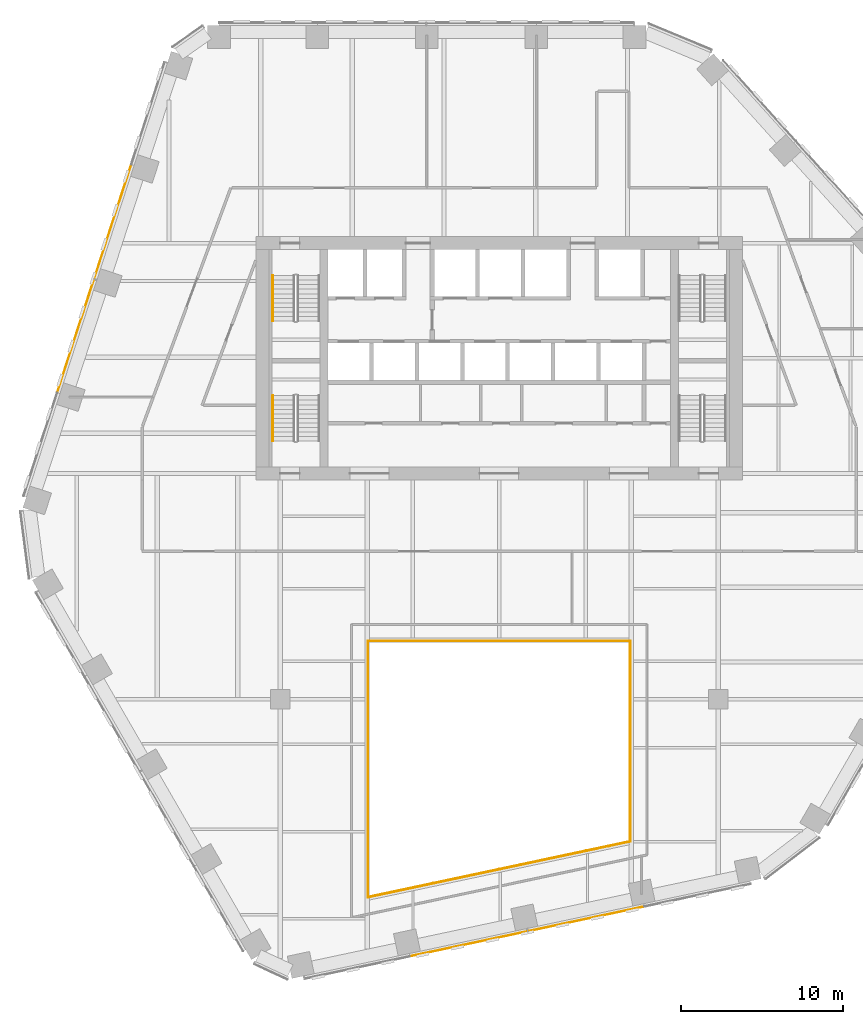
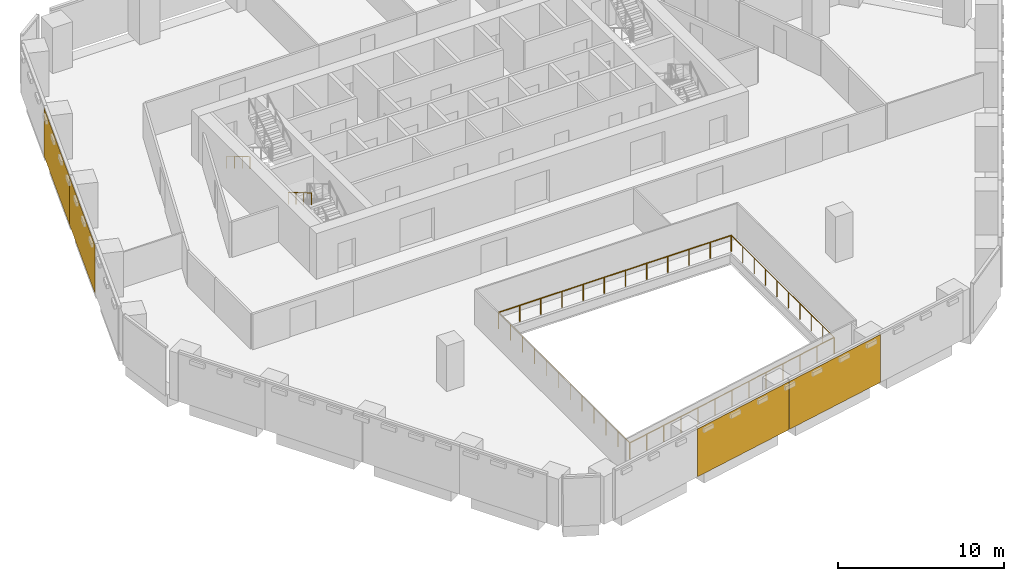
# One storey, part 15 of 17: 6 railings, 4 coverings, 2 elements without a shape of their own.
"""IFC4 building model written with IfcOpenShell, lengths in metres."""

from ifc_helpers import new_model, si_unit, direction, frame, origin, origin_2d, place, context, subcontext, project, spatial, rectangle, circle, extrude, material, layer, layer_set, type_object, element, aggregate, save


model = new_model("IFC4")

# Units and contexts
model_context = context("Model", 3, precision=1e-05, world=origin(), true_north=direction((0.0, 1.0)))
body_context = subcontext(model_context, "Body", "Model", "MODEL_VIEW")
ifc_project = project(units=[si_unit("LENGTHUNIT", "METRE"), si_unit("AREAUNIT", "SQUARE_METRE"), si_unit("VOLUMEUNIT", "CUBIC_METRE"), si_unit("PLANEANGLEUNIT", "RADIAN"), si_unit("MASSUNIT", "GRAM", prefix="KILO")], contexts=[model_context])

# Site, building, storey
site_placement = place(None, origin())
site = spatial("IfcSite", under=ifc_project, at=site_placement, CompositionType="ELEMENT")
building_placement = place(site_placement, origin())
building = spatial("IfcBuilding", under=site, at=building_placement, Name="Isthmus Gate Tower", CompositionType="ELEMENT")
storey_placement = place(building_placement, frame((0.0, 0.0, 162.64990234375)))
storey = spatial("IfcBuildingStorey", under=building, at=storey_placement, Name="L40", CompositionType="ELEMENT", Elevation=162.64990234375)

# Railings
ifc_material_1 = material(Name="Laminated toughened glass balustrade with steel rail", Category="steel")
railing_type_1 = type_object("IfcRailingType", Name="ATRIUM GUARD GLASS BALUSTRADE 1200", PredefinedType="GUARDRAIL", material=ifc_material_1)
railing_1_placement = place(storey_placement, frame((-8.080078125, -25.7099609375, 0.0)))
element("IfcRailing", 1, at=railing_1_placement, inside=storey, type_object=railing_type_1, Name="L40 atrium guard", PredefinedType="GUARDRAIL", context=body_context, shape_type="SweptSolid", body=[
    extrude(circle(Radius=0.02490234375, at=origin_2d()), frame((0.0, 0.0, 1.1748046875), z_axis=(0.0, 1.0, 0.0), x_axis=(-1.0, 0.0, 0.0)), (0.0, 0.0, 1.0), 15.7900390625),
    extrude(circle(Radius=0.02490234375, at=origin_2d()), origin(), (0.0, 0.0, 1.0), 1.14990234375),
    extrude(circle(Radius=0.02490234375, at=origin_2d()), frame((0.0, 1.435546875, 0.0)), (0.0, 0.0, 1.0), 1.14990234375),
    extrude(circle(Radius=0.02490234375, at=origin_2d()), frame((0.0, 2.870849609375, 0.0)), (0.0, 0.0, 1.0), 1.14990234375),
    extrude(circle(Radius=0.02490234375, at=origin_2d()), frame((0.0, 4.306396484375, 0.0)), (0.0, 0.0, 1.0), 1.14990234375),
    extrude(circle(Radius=0.02490234375, at=origin_2d()), frame((0.0, 5.741943359375, 0.0)), (0.0, 0.0, 1.0), 1.14990234375),
    extrude(circle(Radius=0.02490234375, at=origin_2d()), frame((0.0, 7.17724609375, 0.0)), (0.0, 0.0, 1.0), 1.14990234375),
    extrude(circle(Radius=0.02490234375, at=origin_2d()), frame((0.0, 8.61279296875, 0.0)), (0.0, 0.0, 1.0), 1.14990234375),
    extrude(circle(Radius=0.02490234375, at=origin_2d()), frame((0.0, 10.048095703125, 0.0)), (0.0, 0.0, 1.0), 1.14990234375),
    extrude(circle(Radius=0.02490234375, at=origin_2d()), frame((0.0, 11.483642578125, 0.0)), (0.0, 0.0, 1.0), 1.14990234375),
    extrude(circle(Radius=0.02490234375, at=origin_2d()), frame((0.0, 12.919189453125, 0.0)), (0.0, 0.0, 1.0), 1.14990234375),
    extrude(circle(Radius=0.02490234375, at=origin_2d()), frame((0.0, 14.3544921875, 0.0)), (0.0, 0.0, 1.0), 1.14990234375),
    extrude(circle(Radius=0.02490234375, at=origin_2d()), frame((0.0, 15.7900390625, 0.0)), (0.0, 0.0, 1.0), 1.14990234375),
])
railing_2_placement = place(storey_placement, frame((-8.080078125, -9.919921875, 0.0)))
element("IfcRailing", 2, at=railing_2_placement, inside=storey, type_object=railing_type_1, Name="L40 atrium guard", PredefinedType="GUARDRAIL", context=body_context, shape_type="SweptSolid", body=[
    extrude(circle(Radius=0.02490234375, at=origin_2d()), frame((0.0, 0.0, 1.1748046875), z_axis=(1.0, 0.0, 0.0), x_axis=(0.0, 1.0, 0.0)), (0.0, 0.0, 1.0), 16.16015625),
    extrude(circle(Radius=0.02490234375, at=origin_2d()), origin(), (0.0, 0.0, 1.0), 1.14990234375),
    extrude(circle(Radius=0.02490234375, at=origin_2d()), frame((1.468994140625, 0.0, 0.0)), (0.0, 0.0, 1.0), 1.14990234375),
    extrude(circle(Radius=0.02490234375, at=origin_2d()), frame((2.938232421875, 0.0, 0.0)), (0.0, 0.0, 1.0), 1.14990234375),
    extrude(circle(Radius=0.02490234375, at=origin_2d()), frame((4.4072265625, 0.0, 0.0)), (0.0, 0.0, 1.0), 1.14990234375),
    extrude(circle(Radius=0.02490234375, at=origin_2d()), frame((5.87646484375, 0.0, 0.0)), (0.0, 0.0, 1.0), 1.14990234375),
    extrude(circle(Radius=0.02490234375, at=origin_2d()), frame((7.345458984375, 0.0, 0.0)), (0.0, 0.0, 1.0), 1.14990234375),
    extrude(circle(Radius=0.02490234375, at=origin_2d()), frame((8.814697265625, 0.0, 0.0)), (0.0, 0.0, 1.0), 1.14990234375),
    extrude(circle(Radius=0.02490234375, at=origin_2d()), frame((10.28369140625, 0.0, 0.0)), (0.0, 0.0, 1.0), 1.14990234375),
    extrude(circle(Radius=0.02490234375, at=origin_2d()), frame((11.7529296875, 0.0, 0.0)), (0.0, 0.0, 1.0), 1.14990234375),
    extrude(circle(Radius=0.02490234375, at=origin_2d()), frame((13.221923828125, 0.0, 0.0)), (0.0, 0.0, 1.0), 1.14990234375),
    extrude(circle(Radius=0.02490234375, at=origin_2d()), frame((14.691162109375, 0.0, 0.0)), (0.0, 0.0, 1.0), 1.14990234375),
    extrude(circle(Radius=0.02490234375, at=origin_2d()), frame((16.16015625, 0.0, 0.0)), (0.0, 0.0, 1.0), 1.14990234375),
])
railing_3_placement = place(storey_placement, frame((8.080078125, -9.919921875, 0.0)))
element("IfcRailing", 3, at=railing_3_placement, inside=storey, type_object=railing_type_1, Name="L40 atrium guard", PredefinedType="GUARDRAIL", context=body_context, shape_type="SweptSolid", body=[
    extrude(circle(Radius=0.02490234375, at=origin_2d()), frame((0.0, 0.0, 1.1748046875), z_axis=(0.0, -1.0, 0.0), x_axis=(1.0, 0.0, 0.0)), (0.0, 0.0, 1.0), 12.35498046875),
    extrude(circle(Radius=0.02490234375, at=origin_2d()), origin(), (0.0, 0.0, 1.0), 1.14990234375),
    extrude(circle(Radius=0.02490234375, at=origin_2d()), frame((0.0, -1.372802734375, 0.0)), (0.0, 0.0, 1.0), 1.14990234375),
    extrude(circle(Radius=0.02490234375, at=origin_2d()), frame((0.0, -2.74560546875, 0.0)), (0.0, 0.0, 1.0), 1.14990234375),
    extrude(circle(Radius=0.02490234375, at=origin_2d()), frame((0.0, -4.118408203125, 0.0)), (0.0, 0.0, 1.0), 1.14990234375),
    extrude(circle(Radius=0.02490234375, at=origin_2d()), frame((0.0, -5.4912109375, 0.0)), (0.0, 0.0, 1.0), 1.14990234375),
    extrude(circle(Radius=0.02490234375, at=origin_2d()), frame((0.0, -6.86376953125, 0.0)), (0.0, 0.0, 1.0), 1.14990234375),
    extrude(circle(Radius=0.02490234375, at=origin_2d()), frame((0.0, -8.236572265625, 0.0)), (0.0, 0.0, 1.0), 1.14990234375),
    extrude(circle(Radius=0.02490234375, at=origin_2d()), frame((0.0, -9.609375, 0.0)), (0.0, 0.0, 1.0), 1.14990234375),
    extrude(circle(Radius=0.02490234375, at=origin_2d()), frame((0.0, -10.982177734375, 0.0)), (0.0, 0.0, 1.0), 1.14990234375),
    extrude(circle(Radius=0.02490234375, at=origin_2d()), frame((0.0, -12.35498046875, 0.0)), (0.0, 0.0, 1.0), 1.14990234375),
])
railing_4_placement = place(storey_placement, frame((8.080078125, -22.27490234375, 0.0)))
element("IfcRailing", 4, at=railing_4_placement, inside=storey, type_object=railing_type_1, Name="L40 atrium guard", PredefinedType="GUARDRAIL", context=body_context, shape_type="SweptSolid", body=[
    extrude(circle(Radius=0.02490234375, at=origin_2d()), frame((0.0, 0.0, 1.1748046875), z_axis=(-0.978146230105, -0.207918139013, 0.0), x_axis=(0.207918139013, -0.978146230105, 0.0)), (0.0, 0.0, 1.0), 16.521240234375),
    extrude(circle(Radius=0.02490234375, at=origin_2d()), origin(), (0.0, 0.0, 1.0), 1.14990234375),
    extrude(circle(Radius=0.02490234375, at=origin_2d()), frame((-1.3466796875, -0.2861328125, 0.0)), (0.0, 0.0, 1.0), 1.14990234375),
    extrude(circle(Radius=0.02490234375, at=origin_2d()), frame((-2.693359375, -0.572509765625, 0.0)), (0.0, 0.0, 1.0), 1.14990234375),
    extrude(circle(Radius=0.02490234375, at=origin_2d()), frame((-4.0400390625, -0.85888671875, 0.0)), (0.0, 0.0, 1.0), 1.14990234375),
    extrude(circle(Radius=0.02490234375, at=origin_2d()), frame((-5.38671875, -1.14501953125, 0.0)), (0.0, 0.0, 1.0), 1.14990234375),
    extrude(circle(Radius=0.02490234375, at=origin_2d()), frame((-6.7333984375, -1.43115234375, 0.0)), (0.0, 0.0, 1.0), 1.14990234375),
    extrude(circle(Radius=0.02490234375, at=origin_2d()), frame((-8.080078125, -1.717529296875, 0.0)), (0.0, 0.0, 1.0), 1.14990234375),
    extrude(circle(Radius=0.02490234375, at=origin_2d()), frame((-9.4267578125, -2.00390625, 0.0)), (0.0, 0.0, 1.0), 1.14990234375),
    extrude(circle(Radius=0.02490234375, at=origin_2d()), frame((-10.7734375, -2.2900390625, 0.0)), (0.0, 0.0, 1.0), 1.14990234375),
    extrude(circle(Radius=0.02490234375, at=origin_2d()), frame((-12.1201171875, -2.576171875, 0.0)), (0.0, 0.0, 1.0), 1.14990234375),
    extrude(circle(Radius=0.02490234375, at=origin_2d()), frame((-13.466796875, -2.862548828125, 0.0)), (0.0, 0.0, 1.0), 1.14990234375),
    extrude(circle(Radius=0.02490234375, at=origin_2d()), frame((-14.8134765625, -3.14892578125, 0.0)), (0.0, 0.0, 1.0), 1.14990234375),
    extrude(circle(Radius=0.02490234375, at=origin_2d()), frame((-16.16015625, -3.43505859375, 0.0)), (0.0, 0.0, 1.0), 1.14990234375),
])

# Curtain wall, coverings
ifc_material_2 = material(Name="Aluminium, pale champagne anodised", Category="aluminium")
ifc_layer_1 = layer(ifc_material_2, 0.199951171875)
ifc_layer_set_1 = layer_set([ifc_layer_1], Name="CW-1 UNITISED CURTAIN WALL 200 DEEP")
curtain_wall_type = type_object("IfcCurtainWallType", Name="CW-1 UNITISED CURTAIN WALL 200 DEEP", PredefinedType="NOTDEFINED", material=ifc_layer_set_1)
curtain_wall_1_placement = place(storey_placement, origin())
curtain_wall_1 = element("IfcCurtainWall", 5, at=curtain_wall_1_placement, inside=storey, type_object=curtain_wall_type, Name="CW-1 NW L40", PredefinedType="NOTDEFINED")
ifc_material_3 = material(Name="Aluminium composite panel, pale champagne anodised", Category="aluminium")
ifc_layer_2 = layer(ifc_material_3, 0.035888671875)
ifc_layer_set_2 = layer_set([ifc_layer_2], Name="CW-1 PALE METAL PANEL 36")
covering_type = type_object("IfcCoveringType", Name="CW-1 PALE METAL PANEL 36", PredefinedType="CLADDING", material=ifc_layer_set_2)
covering_1_placement = place(storey_placement, frame((-23.813720703125, 15.927490234375, 0.0), z_axis=(0.0, 0.0, 1.0), x_axis=(-0.309016994375, -0.951056516295, 0.0)))
covering_1 = element("IfcCovering", 6, at=covering_1_placement, type_object=covering_type, Name="CW-1 pale metal panel", PredefinedType="CLADDING", context=body_context, shape_type="SweptSolid", body=[
    extrude(rectangle(XDim=7.390869140625, YDim=0.035888671875, at=origin_2d()), origin(), (0.0, 0.0, 1.0), 3.510009765625),
])
covering_2_placement = place(storey_placement, frame((-26.10693359375, 8.8701171875, 0.0), z_axis=(0.0, 0.0, 1.0), x_axis=(-0.309016994375, -0.951056516295, 0.0)))
covering_2 = element("IfcCovering", 7, at=covering_2_placement, type_object=covering_type, Name="CW-1 pale metal panel", PredefinedType="CLADDING", context=body_context, shape_type="SweptSolid", body=[
    extrude(rectangle(XDim=7.330810546875, YDim=0.035888671875, at=origin_2d()), origin(), (0.0, 0.0, 1.0), 3.510009765625),
])
aggregate(curtain_wall_1, [covering_1, covering_2])

curtain_wall_2_placement = place(storey_placement, origin())
curtain_wall_2 = element("IfcCurtainWall", 8, at=curtain_wall_2_placement, inside=storey, type_object=curtain_wall_type, Name="CW-1 S L40", PredefinedType="NOTDEFINED")
covering_3_placement = place(storey_placement, frame((-1.88671875, -28.587158203125, 0.0), z_axis=(0.0, 0.0, 1.0), x_axis=(0.978147600734, 0.207911690818, 0.0)))
covering_3 = element("IfcCovering", 9, at=covering_3_placement, type_object=covering_type, Name="CW-1 pale metal panel", PredefinedType="CLADDING", context=body_context, shape_type="SweptSolid", body=[
    extrude(rectangle(XDim=7.390869140625, YDim=0.035888671875, at=origin_2d()), origin(), (0.0, 0.0, 1.0), 3.510009765625),
])
covering_4_placement = place(storey_placement, frame((5.371826171875, -27.044189453125, 0.0), z_axis=(0.0, 0.0, 1.0), x_axis=(0.978147600734, 0.207911690818, 0.0)))
covering_4 = element("IfcCovering", 10, at=covering_4_placement, type_object=covering_type, Name="CW-1 pale metal panel", PredefinedType="CLADDING", context=body_context, shape_type="SweptSolid", body=[
    extrude(rectangle(XDim=7.330810546875, YDim=0.035888671875, at=origin_2d()), origin(), (0.0, 0.0, 1.0), 3.510009765625),
])
aggregate(curtain_wall_2, [covering_3, covering_4])

# Railings
ifc_material_4 = material(Name="Stainless steel handrail", Category="steel")
railing_type_2 = type_object("IfcRailingType", Name="STAIR HANDRAIL 900", PredefinedType="HANDRAIL", material=ifc_material_4)
for number, where, name in (
    (11, (-13.949951171875, 12.60009765625, 0.166015625), "L40 ST1 stair handrail 1"),
    (12, (-13.949951171875, 5.199951171875, 1.990966796875), "L40 ST7 stair handrail 2"),
):
    element("IfcRailing", number, at=place(storey_placement, frame(where)), inside=storey, type_object=railing_type_2, Name=name, PredefinedType="HANDRAIL", context=body_context, shape_type="SweptSolid", body=[
        extrude(circle(Radius=0.02392578125, at=origin_2d()), frame((0.0, 0.0, 0.8759765625), z_axis=(0.0, -0.860306154799, 0.50977771628), x_axis=(1.0, 0.0, 0.0)), (0.0, 0.0, 1.0), 3.254638671875),
        extrude(circle(Radius=0.02099609375, at=origin_2d()), origin(), (0.0, 0.0, 1.0), 0.851806640625),
        extrude(circle(Radius=0.02099609375, at=origin_2d()), frame((0.0, -0.933349609375, 0.552978515625)), (0.0, 0.0, 1.0), 0.851806640625),
        extrude(circle(Radius=0.02099609375, at=origin_2d()), frame((0.0, -1.86669921875, 1.106201171875)), (0.0, 0.0, 1.0), 0.851806640625),
        extrude(circle(Radius=0.02099609375, at=origin_2d()), frame((0.0, -2.800048828125, 1.6591796875)), (0.0, 0.0, 1.0), 0.851806640625),
    ])

save(model, "model.ifc")
